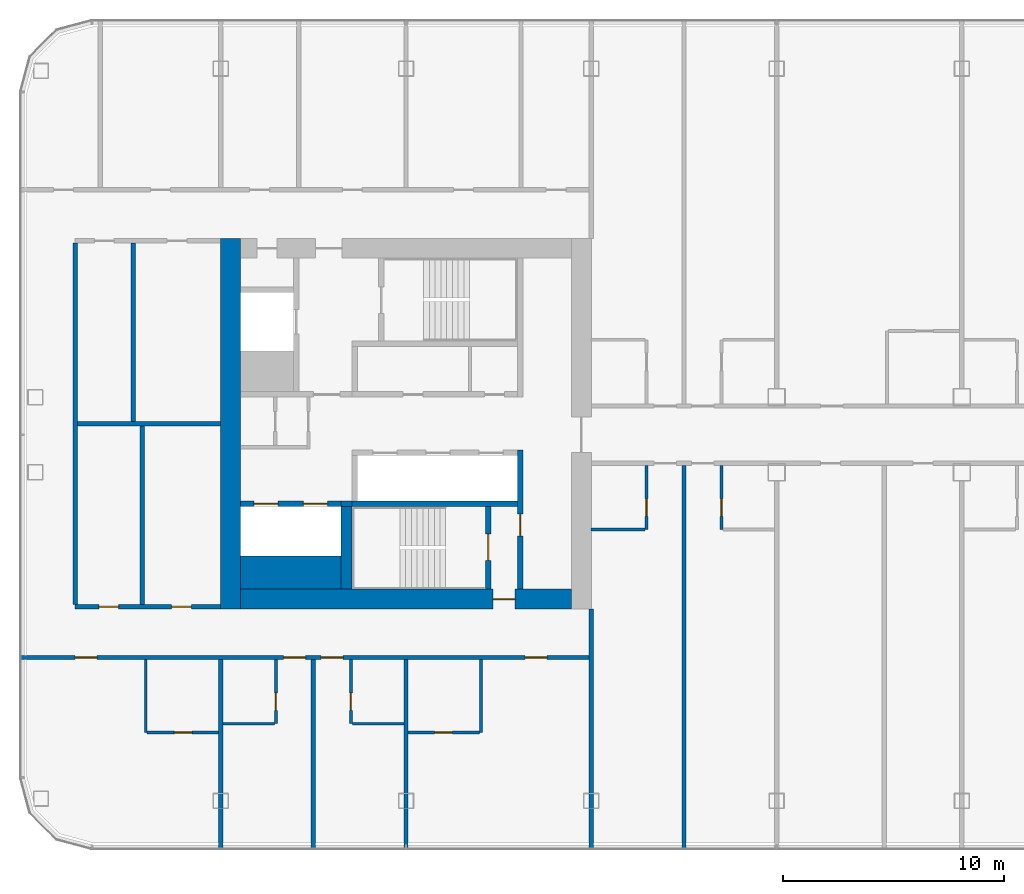
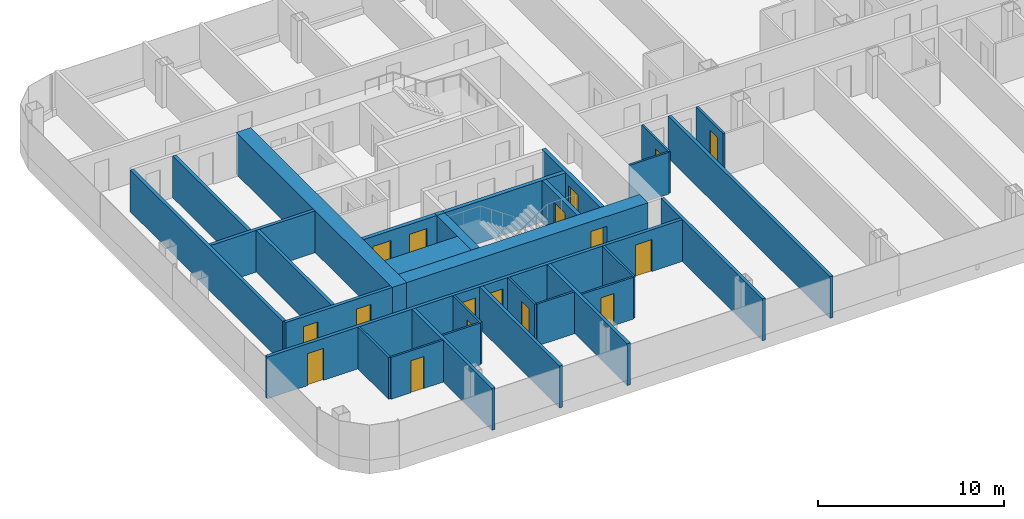
# One storey, part 12 of 26: 31 walls, 17 doors, 17 openings.
"""IFC4 building model written with IfcOpenShell, lengths in metres."""

from ifc_helpers import new_model, si_unit, direction, frame, frame_2d, origin, place, context, subcontext, project, spatial, rectangle, extrude, material, layer, layer_set, type_object, element, fill, save


model = new_model("IFC4")

# Units and contexts
model_context = context("Model", 3, precision=1e-05, world=origin(), true_north=direction((0.0, 1.0)))
body_context = subcontext(model_context, "Body", "Model", "MODEL_VIEW")
ifc_project = project(units=[si_unit("LENGTHUNIT", "METRE"), si_unit("AREAUNIT", "SQUARE_METRE"), si_unit("VOLUMEUNIT", "CUBIC_METRE"), si_unit("PLANEANGLEUNIT", "RADIAN"), si_unit("MASSUNIT", "GRAM", prefix="KILO")], contexts=[model_context])

# Site, building, storey
site_placement = place(None, origin())
site = spatial("IfcSite", under=ifc_project, at=site_placement, CompositionType="ELEMENT")
building_placement = place(site_placement, origin())
building = spatial("IfcBuilding", under=site, at=building_placement, Name="Hakoniwa Tower and Hamabe Station Hall", CompositionType="ELEMENT")
storey_placement = place(building_placement, frame((0.0, 0.0, 156.60009765625)))
storey = spatial("IfcBuildingStorey", under=building, at=storey_placement, Name="L44", CompositionType="ELEMENT", Elevation=156.60009765625)

# Wall, opening, door
ifc_material_1 = material(Name="Gypsum board partition", Category="gypsum")
ifc_layer_1 = layer(ifc_material_1, 0.125)
ifc_layer_set_1 = layer_set([ifc_layer_1], Name="Bathroom Partition 125")
wall_type_1 = type_object("IfcWallType", Name="Bathroom Partition 125", PredefinedType="PARTITIONING", material=ifc_layer_set_1)
wall_1_placement = place(storey_placement, frame((-36.9375, -14.0, 0.0), z_axis=(0.0, 0.0, 1.0), x_axis=(1.0, 0.0, 0.0)))
wall_1 = element("IfcWall", 1, at=wall_1_placement, inside=storey, type_object=wall_type_1, Name="GW-L44-001", PredefinedType="PARTITIONING", context=body_context, shape_type="SweptSolid", body=[
    extrude(rectangle(XDim=3.237548828125, YDim=0.125, at=frame_2d((1.61865234375, 0.0))), origin(), (0.0, 0.0, 1.0), 2.75),
])
opening_1_placement = place(wall_1_placement, frame((1.237548828125, 0.0, 0.0)))
opening_1 = element("IfcOpeningElement", 2, at=opening_1_placement, cuts=wall_1, Name="Opening GD-G3D1-01", PredefinedType="OPENING", context=body_context, shape_type="SweptSolid", body=[
    extrude(rectangle(XDim=0.800048828125, YDim=2.10009765625, at=frame_2d((0.39990234375, 1.050048828125))), frame((0.0, 0.072509765625, 0.0), z_axis=(0.0, -1.0, 0.0), x_axis=(1.0, 0.0, 0.0)), (0.0, 0.0, 1.0), 0.14501953125),
])
ifc_material_2 = material(Name="Timber door leaf", Category="wood")
door_type_1 = type_object("IfcDoorType", Name="Bathroom Door 800", OperationType="SINGLE_SWING_LEFT", PredefinedType="DOOR", material=ifc_material_2)
door_1_placement = place(opening_1_placement, origin())
door_1 = element("IfcDoor", 3, at=door_1_placement, inside=storey, type_object=door_type_1, Name="Door GD-G3D1-01", OperationType="SINGLE_SWING_RIGHT", OverallHeight=2.10009765625, OverallWidth=0.800048828125, PredefinedType="DOOR", context=body_context, shape_type="SweptSolid", body=[
    extrude(rectangle(XDim=0.800048828125, YDim=2.10009765625, at=frame_2d((0.39990234375, 1.050048828125))), frame((0.0, 0.02490234375, 0.0), z_axis=(0.0, -1.0, 0.0), x_axis=(1.0, 0.0, 0.0)), (0.0, 0.0, 1.0), 0.050048828125),
])
fill(opening_1, door_1)

wall_2_placement = place(storey_placement, frame((-25.10009765625, -14.0, 0.0), z_axis=(0.0, 0.0, 1.0), x_axis=(1.0, 0.0, 0.0)))
wall_2 = element("IfcWall", 4, at=wall_2_placement, inside=storey, type_object=wall_type_1, Name="GW-L44-002", PredefinedType="PARTITIONING", context=body_context, shape_type="SweptSolid", body=[
    extrude(rectangle(XDim=3.237548828125, YDim=0.125, at=frame_2d((1.61865234375, 0.0))), origin(), (0.0, 0.0, 1.0), 2.75),
])
opening_2_placement = place(wall_2_placement, frame((1.199951171875, 0.0, 0.0)))
opening_2 = element("IfcOpeningElement", 5, at=opening_2_placement, cuts=wall_2, Name="Opening GD-G3D1-02", PredefinedType="OPENING", context=body_context, shape_type="SweptSolid", body=[
    extrude(rectangle(XDim=0.800048828125, YDim=2.10009765625, at=frame_2d((0.39990234375, 1.050048828125))), frame((0.0, 0.072509765625, 0.0), z_axis=(0.0, -1.0, 0.0), x_axis=(1.0, 0.0, 0.0)), (0.0, 0.0, 1.0), 0.14501953125),
])
door_2_placement = place(opening_2_placement, origin())
door_2 = element("IfcDoor", 6, at=door_2_placement, inside=storey, type_object=door_type_1, Name="Door GD-G3D1-02", OperationType="SINGLE_SWING_LEFT", OverallHeight=2.10009765625, OverallWidth=0.800048828125, PredefinedType="DOOR", context=body_context, shape_type="SweptSolid", body=[
    extrude(rectangle(XDim=0.800048828125, YDim=2.10009765625, at=frame_2d((0.39990234375, 1.050048828125))), frame((0.0, 0.02490234375, 0.0), z_axis=(0.0, -1.0, 0.0), x_axis=(1.0, 0.0, 0.0)), (0.0, 0.0, 1.0), 0.050048828125),
])
fill(opening_2, door_2)

# Walls
for number, where, z_axis, x_axis, name in (
    (7, (-33.5, -13.60009765625, 0.0), (0.0, 0.0, 1.0), (1.0, 0.0, 0.0), "GW-L44-004"),
    (8, (-27.637451171875, -13.60009765625, 0.0), (0.0, 0.0, 1.0), (1.0, 0.0, 0.0), "GW-L44-005"),
):
    element("IfcWall", number, at=place(storey_placement, frame(where, z_axis=z_axis, x_axis=x_axis)), inside=storey, type_object=wall_type_1, Name=name, PredefinedType="PARTITIONING", context=body_context, shape_type="SweptSolid", body=[
        extrude(rectangle(XDim=2.33740234375, YDim=0.125, at=frame_2d((1.168701171875, 0.0))), origin(), (0.0, 0.0, 1.0), 2.75),
    ])
wall_3_placement = place(storey_placement, frame((-16.81005859375, -4.800048828125, 0.0), z_axis=(0.0, 0.0, 1.0), x_axis=(1.0, 0.0, 0.0)))
element("IfcWall", 9, at=wall_3_placement, inside=storey, type_object=wall_type_1, Name="GW-L44-015", PredefinedType="PARTITIONING", context=body_context, shape_type="SweptSolid", body=[
    extrude(rectangle(XDim=2.447509765625, YDim=0.125, at=frame_2d((1.2236328125, 0.0))), origin(), (0.0, 0.0, 1.0), 2.75),
])
wall_4_placement = place(storey_placement, frame((-37.0, -14.0, 0.0), z_axis=(0.0, 0.0, 1.0), x_axis=(0.0, 1.0, 0.0)))
element("IfcWall", 10, at=wall_4_placement, inside=storey, type_object=wall_type_1, Name="GW-L44-037", PredefinedType="PARTITIONING", context=body_context, shape_type="SweptSolid", body=[
    extrude(rectangle(XDim=3.300048828125, YDim=0.125, at=frame_2d((1.64990234375, 0.0))), origin(), (0.0, 0.0, 1.0), 2.75),
])

# Wall, opening, door
wall_5_placement = place(storey_placement, frame((-31.10009765625, -13.60009765625, 0.0), z_axis=(0.0, 0.0, 1.0), x_axis=(0.0, 1.0, 0.0)))
wall_5 = element("IfcWall", 11, at=wall_5_placement, inside=storey, type_object=wall_type_1, Name="GW-L44-040", PredefinedType="PARTITIONING", context=body_context, shape_type="SweptSolid", body=[
    extrude(rectangle(XDim=2.900146484375, YDim=0.125, at=frame_2d((1.4501953125, 0.0))), origin(), (0.0, 0.0, 1.0), 2.75),
])
opening_3_placement = place(wall_5_placement, frame((0.60009765625, 0.0, 0.0)))
opening_3 = element("IfcOpeningElement", 12, at=opening_3_placement, cuts=wall_5, Name="Opening GD-G3D1-46", PredefinedType="OPENING", context=body_context, shape_type="SweptSolid", body=[
    extrude(rectangle(XDim=0.800048828125, YDim=2.10009765625, at=frame_2d((0.39990234375, 1.050048828125))), frame((0.0, 0.072509765625, 0.0), z_axis=(0.0, -1.0, 0.0), x_axis=(1.0, 0.0, 0.0)), (0.0, 0.0, 1.0), 0.14501953125),
])
door_3_placement = place(opening_3_placement, origin())
door_3 = element("IfcDoor", 13, at=door_3_placement, inside=storey, type_object=door_type_1, Name="Door GD-G3D1-46", OperationType="SINGLE_SWING_RIGHT", OverallHeight=2.10009765625, OverallWidth=0.800048828125, PredefinedType="DOOR", context=body_context, shape_type="SweptSolid", body=[
    extrude(rectangle(XDim=0.800048828125, YDim=2.10009765625, at=frame_2d((0.39990234375, 1.050048828125))), frame((0.0, 0.02490234375, 0.0), z_axis=(0.0, -1.0, 0.0), x_axis=(1.0, 0.0, 0.0)), (0.0, 0.0, 1.0), 0.050048828125),
])
fill(opening_3, door_3)

wall_6_placement = place(storey_placement, frame((-27.699951171875, -13.60009765625, 0.0), z_axis=(0.0, 0.0, 1.0), x_axis=(0.0, 1.0, 0.0)))
wall_6 = element("IfcWall", 14, at=wall_6_placement, inside=storey, type_object=wall_type_1, Name="GW-L44-043", PredefinedType="PARTITIONING", context=body_context, shape_type="SweptSolid", body=[
    extrude(rectangle(XDim=2.900146484375, YDim=0.125, at=frame_2d((1.4501953125, 0.0))), origin(), (0.0, 0.0, 1.0), 2.75),
])
opening_4_placement = place(wall_6_placement, frame((0.60009765625, 0.0, 0.0)))
opening_4 = element("IfcOpeningElement", 15, at=opening_4_placement, cuts=wall_6, Name="Opening GD-G3D1-47", PredefinedType="OPENING", context=body_context, shape_type="SweptSolid", body=[
    extrude(rectangle(XDim=0.800048828125, YDim=2.10009765625, at=frame_2d((0.39990234375, 1.050048828125))), frame((0.0, 0.072509765625, 0.0), z_axis=(0.0, -1.0, 0.0), x_axis=(1.0, 0.0, 0.0)), (0.0, 0.0, 1.0), 0.14501953125),
])
door_4_placement = place(opening_4_placement, origin())
door_4 = element("IfcDoor", 16, at=door_4_placement, inside=storey, type_object=door_type_1, Name="Door GD-G3D1-47", OperationType="SINGLE_SWING_LEFT", OverallHeight=2.10009765625, OverallWidth=0.800048828125, PredefinedType="DOOR", context=body_context, shape_type="SweptSolid", body=[
    extrude(rectangle(XDim=0.800048828125, YDim=2.10009765625, at=frame_2d((0.39990234375, 1.050048828125))), frame((0.0, 0.02490234375, 0.0), z_axis=(0.0, -1.0, 0.0), x_axis=(1.0, 0.0, 0.0)), (0.0, 0.0, 1.0), 0.050048828125),
])
fill(opening_4, door_4)

# Wall
wall_7_placement = place(storey_placement, frame((-21.800048828125, -14.0, 0.0), z_axis=(0.0, 0.0, 1.0), x_axis=(0.0, 1.0, 0.0)))
element("IfcWall", 17, at=wall_7_placement, inside=storey, type_object=wall_type_1, Name="GW-L44-046", PredefinedType="PARTITIONING", context=body_context, shape_type="SweptSolid", body=[
    extrude(rectangle(XDim=3.300048828125, YDim=0.125, at=frame_2d((1.64990234375, 0.0))), origin(), (0.0, 0.0, 1.0), 2.75),
])

# Wall, opening, door
wall_8_placement = place(storey_placement, frame((-14.300048828125, -4.800048828125, 0.0), z_axis=(0.0, 0.0, 1.0), x_axis=(0.0, 1.0, 0.0)))
wall_8 = element("IfcWall", 18, at=wall_8_placement, inside=storey, type_object=wall_type_1, Name="GW-L44-050", PredefinedType="PARTITIONING", context=body_context, shape_type="SweptSolid", body=[
    extrude(rectangle(XDim=2.900146484375, YDim=0.125, at=frame_2d((1.4501953125, 0.0))), origin(), (0.0, 0.0, 1.0), 2.75),
])
opening_5_placement = place(wall_8_placement, frame((0.60009765625, 0.0, 0.0)))
opening_5 = element("IfcOpeningElement", 19, at=opening_5_placement, cuts=wall_8, Name="Opening GD-G3D1-48", PredefinedType="OPENING", context=body_context, shape_type="SweptSolid", body=[
    extrude(rectangle(XDim=0.800048828125, YDim=2.10009765625, at=frame_2d((0.39990234375, 1.050048828125))), frame((0.0, 0.072509765625, 0.0), z_axis=(0.0, -1.0, 0.0), x_axis=(1.0, 0.0, 0.0)), (0.0, 0.0, 1.0), 0.14501953125),
])
door_5_placement = place(opening_5_placement, origin())
door_5 = element("IfcDoor", 20, at=door_5_placement, inside=storey, type_object=door_type_1, Name="Door GD-G3D1-48", OperationType="SINGLE_SWING_RIGHT", OverallHeight=2.10009765625, OverallWidth=0.800048828125, PredefinedType="DOOR", context=body_context, shape_type="SweptSolid", body=[
    extrude(rectangle(XDim=0.800048828125, YDim=2.10009765625, at=frame_2d((0.39990234375, 1.050048828125))), frame((0.0, 0.02490234375, 0.0), z_axis=(0.0, -1.0, 0.0), x_axis=(1.0, 0.0, 0.0)), (0.0, 0.0, 1.0), 0.050048828125),
])
fill(opening_5, door_5)

wall_9_placement = place(storey_placement, frame((-10.89990234375, -4.800048828125, 0.0), z_axis=(0.0, 0.0, 1.0), x_axis=(0.0, 1.0, 0.0)))
wall_9 = element("IfcWall", 21, at=wall_9_placement, inside=storey, type_object=wall_type_1, Name="GW-L44-054", PredefinedType="PARTITIONING", context=body_context, shape_type="SweptSolid", body=[
    extrude(rectangle(XDim=2.900146484375, YDim=0.125, at=frame_2d((1.4501953125, 0.0))), origin(), (0.0, 0.0, 1.0), 2.75),
])
opening_6_placement = place(wall_9_placement, frame((0.60009765625, 0.0, 0.0)))
opening_6 = element("IfcOpeningElement", 22, at=opening_6_placement, cuts=wall_9, Name="Opening GD-G3D1-50", PredefinedType="OPENING", context=body_context, shape_type="SweptSolid", body=[
    extrude(rectangle(XDim=0.800048828125, YDim=2.10009765625, at=frame_2d((0.39990234375, 1.050048828125))), frame((0.0, 0.072509765625, 0.0), z_axis=(0.0, -1.0, 0.0), x_axis=(1.0, 0.0, 0.0)), (0.0, 0.0, 1.0), 0.14501953125),
])
door_6_placement = place(opening_6_placement, origin())
door_6 = element("IfcDoor", 23, at=door_6_placement, inside=storey, type_object=door_type_1, Name="Door GD-G3D1-50", OperationType="SINGLE_SWING_LEFT", OverallHeight=2.10009765625, OverallWidth=0.800048828125, PredefinedType="DOOR", context=body_context, shape_type="SweptSolid", body=[
    extrude(rectangle(XDim=0.800048828125, YDim=2.10009765625, at=frame_2d((0.39990234375, 1.050048828125))), frame((0.0, 0.02490234375, 0.0), z_axis=(0.0, -1.0, 0.0), x_axis=(1.0, 0.0, 0.0)), (0.0, 0.0, 1.0), 0.050048828125),
])
fill(opening_6, door_6)

# Wall
ifc_material_3 = material(Name="Concrete C66", Category="concrete")
ifc_layer_2 = layer(ifc_material_3, 0.89990234375)
ifc_layer_set_2 = layer_set([ifc_layer_2], Name="CORE WALL 900 C66")
wall_type_2 = type_object("IfcWallType", Name="CORE WALL 900 C66", PredefinedType="SHEAR", material=ifc_layer_set_2)
wall_10_placement = place(storey_placement, frame((-33.14990234375, -8.39990234375, 0.0), z_axis=(0.0, 0.0, 1.0), x_axis=(0.0, 1.0, 0.0)))
element("IfcWall", 24, at=wall_10_placement, inside=storey, type_object=wall_type_2, Name="Core wall OUTER west", PredefinedType="SHEAR", context=body_context, shape_type="SweptSolid", body=[
    extrude(rectangle(XDim=16.7998046875, YDim=0.89990234375, at=frame_2d((8.39990234375, 0.0))), origin(), (0.0, 0.0, 1.0), 2.75),
])

# Wall, opening, door
wall_11_placement = place(storey_placement, frame((-32.699951171875, -7.949951171875, 0.0), z_axis=(0.0, 0.0, 1.0), x_axis=(1.0, 0.0, 0.0)))
wall_11 = element("IfcWall", 25, at=wall_11_placement, inside=storey, type_object=wall_type_2, Name="Core wall SOUTH west", PredefinedType="SHEAR", context=body_context, shape_type="SweptSolid", body=[
    extrude(rectangle(XDim=15.0, YDim=0.89990234375, at=frame_2d((7.5, 0.0))), origin(), (0.0, 0.0, 1.0), 2.75),
])
opening_7_placement = place(wall_11_placement, frame((11.449951171875, 0.0, 0.0)))
opening_7 = element("IfcOpeningElement", 26, at=opening_7_placement, cuts=wall_11, Name="Opening CD-W-FS3-10", PredefinedType="OPENING", context=body_context, shape_type="SweptSolid", body=[
    extrude(rectangle(XDim=1.0, YDim=2.10009765625, at=frame_2d((0.5, 1.050048828125))), frame((0.0, 0.4599609375, 0.0), z_axis=(0.0, -1.0, 0.0), x_axis=(1.0, 0.0, 0.0)), (0.0, 0.0, 1.0), 0.919921875),
])
ifc_material_4 = material(Name="Steel fire door", Category="steel")
door_type_2 = type_object("IfcDoorType", Name="CORE DOOR 1000 FD60", OperationType="NOTDEFINED", PredefinedType="DOOR", material=ifc_material_4)
door_7_placement = place(opening_7_placement, origin())
door_7 = element("IfcDoor", 27, at=door_7_placement, inside=storey, type_object=door_type_2, Name="Stair vestibule door", OperationType="SINGLE_SWING_RIGHT", OverallHeight=2.10009765625, OverallWidth=1.0, PredefinedType="DOOR", context=body_context, shape_type="SweptSolid", body=[
    extrude(rectangle(XDim=1.0, YDim=2.10009765625, at=frame_2d((0.5, 1.050048828125))), frame((0.0, 0.02490234375, 0.0), z_axis=(0.0, -1.0, 0.0), x_axis=(1.0, 0.0, 0.0)), (0.0, 0.0, 1.0), 0.050048828125),
])
fill(opening_7, door_7)

# Wall
ifc_material_5 = material(Name="Concrete C66", Category="concrete")
ifc_layer_3 = layer(ifc_material_5, 1.5)
ifc_layer_set_3 = layer_set([ifc_layer_3], Name="CORE WEB WALL 1500 C66")
wall_type_3 = type_object("IfcWallType", Name="CORE WEB WALL 1500 C66", PredefinedType="SHEAR", material=ifc_layer_set_3)
wall_12_placement = place(storey_placement, frame((-32.699951171875, -6.75, 0.0), z_axis=(0.0, 0.0, 1.0), x_axis=(1.0, 0.0, 0.0)))
element("IfcWall", 28, at=wall_12_placement, inside=storey, type_object=wall_type_3, Name="Core wall SER west", PredefinedType="SHEAR", context=body_context, shape_type="SweptSolid", body=[
    extrude(rectangle(XDim=4.550048828125, YDim=1.5, at=frame_2d((2.27490234375, 0.0))), origin(), (0.0, 0.0, 1.0), 2.75),
])

# Wall, opening, door
ifc_material_6 = material(Name="Concrete C66", Category="concrete")
ifc_layer_4 = layer(ifc_material_6, 0.25)
ifc_layer_set_4 = layer_set([ifc_layer_4], Name="CORE WEB WALL 250 C66")
wall_type_4 = type_object("IfcWallType", Name="CORE WEB WALL 250 C66", PredefinedType="SHEAR", material=ifc_layer_set_4)
wall_13_placement = place(storey_placement, frame((-20.02490234375, -7.5, 0.0), z_axis=(0.0, 0.0, 1.0), x_axis=(0.0, 1.0, 0.0)))
wall_13 = element("IfcWall", 29, at=wall_13_placement, inside=storey, type_object=wall_type_4, Name="Core wall W1S west", PredefinedType="SHEAR", context=body_context, shape_type="SweptSolid", body=[
    extrude(rectangle(XDim=6.300048828125, YDim=0.25, at=frame_2d((3.14990234375, 0.0))), origin(), (0.0, 0.0, 1.0), 2.75),
])
opening_8_placement = place(wall_13_placement, frame((2.39990234375, 0.0, 0.0)))
opening_8 = element("IfcOpeningElement", 30, at=opening_8_placement, cuts=wall_13, Name="Opening CD-W-VS-10", PredefinedType="OPENING", context=body_context, shape_type="SweptSolid", body=[
    extrude(rectangle(XDim=1.0, YDim=2.10009765625, at=frame_2d((0.5, 1.050048828125))), frame((0.0, 0.135009765625, 0.0), z_axis=(0.0, -1.0, 0.0), x_axis=(1.0, 0.0, 0.0)), (0.0, 0.0, 1.0), 0.27001953125),
])
door_8_placement = place(opening_8_placement, origin())
door_8 = element("IfcDoor", 31, at=door_8_placement, inside=storey, type_object=door_type_2, Name="Stair vestibule door", OperationType="SINGLE_SWING_LEFT", OverallHeight=2.10009765625, OverallWidth=1.0, PredefinedType="DOOR", context=body_context, shape_type="SweptSolid", body=[
    extrude(rectangle(XDim=1.0, YDim=2.10009765625, at=frame_2d((0.5, 1.050048828125))), frame((0.0, 0.02490234375, 0.0), z_axis=(0.0, -1.0, 0.0), x_axis=(1.0, 0.0, 0.0)), (0.0, 0.0, 1.0), 0.050048828125),
])
fill(opening_8, door_8)

# Wall
wall_14_placement = place(storey_placement, frame((-27.64990234375, -3.625, 0.0), z_axis=(0.0, 0.0, 1.0), x_axis=(1.0, 0.0, 0.0)))
element("IfcWall", 32, at=wall_14_placement, inside=storey, type_object=wall_type_4, Name="Core wall SR west", PredefinedType="SHEAR", context=body_context, shape_type="SweptSolid", body=[
    extrude(rectangle(XDim=7.5, YDim=0.25, at=frame_2d((3.75, 0.0))), origin(), (0.0, 0.0, 1.0), 2.75),
])

# Wall, opening, door
wall_15_placement = place(storey_placement, frame((-21.47509765625, -7.5, 0.0), z_axis=(0.0, 0.0, 1.0), x_axis=(0.0, 1.0, 0.0)))
wall_15 = element("IfcWall", 33, at=wall_15_placement, inside=storey, type_object=wall_type_4, Name="Core wall VE west", PredefinedType="SHEAR", context=body_context, shape_type="SweptSolid", body=[
    extrude(rectangle(XDim=3.75, YDim=0.25, at=frame_2d((1.875, 0.0))), origin(), (0.0, 0.0, 1.0), 2.75),
])
opening_9_placement = place(wall_15_placement, frame((1.300048828125, 0.0, 0.0)))
opening_9 = element("IfcOpeningElement", 34, at=opening_9_placement, cuts=wall_15, Name="Opening CD-W-SS-12", PredefinedType="OPENING", context=body_context, shape_type="SweptSolid", body=[
    extrude(rectangle(XDim=1.199951171875, YDim=2.10009765625, at=frame_2d((0.60009765625, 1.050048828125))), frame((0.0, 0.135009765625, 0.0), z_axis=(0.0, -1.0, 0.0), x_axis=(1.0, 0.0, 0.0)), (0.0, 0.0, 1.0), 0.27001953125),
])
ifc_material_7 = material(Name="Steel fire door", Category="steel")
door_type_3 = type_object("IfcDoorType", Name="CORE DOOR 1200 FD60", OperationType="DOUBLE_DOOR_SINGLE_SWING", PredefinedType="DOOR", material=ifc_material_7)
door_9_placement = place(opening_9_placement, origin())
door_9 = element("IfcDoor", 35, at=door_9_placement, inside=storey, type_object=door_type_3, Name="Escape stair door", OperationType="DOUBLE_DOOR_SINGLE_SWING", OverallHeight=2.10009765625, OverallWidth=1.199951171875, PredefinedType="DOOR", context=body_context, shape_type="SweptSolid", body=[
    extrude(rectangle(XDim=1.199951171875, YDim=2.10009765625, at=frame_2d((0.60009765625, 1.050048828125))), frame((0.0, 0.02490234375, 0.0), z_axis=(0.0, -1.0, 0.0), x_axis=(1.0, 0.0, 0.0)), (0.0, 0.0, 1.0), 0.050048828125),
])
fill(opening_9, door_9)

# Wall, openings, doors
wall_16_placement = place(storey_placement, frame((-32.699951171875, -3.625, 0.0), z_axis=(0.0, 0.0, 1.0), x_axis=(1.0, 0.0, 0.0)))
wall_16 = element("IfcWall", 36, at=wall_16_placement, inside=storey, type_object=wall_type_4, Name="Core wall SEF west", PredefinedType="SHEAR", context=body_context, shape_type="SweptSolid", body=[
    extrude(rectangle(XDim=4.550048828125, YDim=0.25, at=frame_2d((2.27490234375, 0.0))), origin(), (0.0, 0.0, 1.0), 2.75),
])
opening_10_placement = place(wall_16_placement, frame((2.85009765625, 0.0, 0.0)))
opening_10 = element("IfcOpeningElement", 37, at=opening_10_placement, cuts=wall_16, Name="Opening LD-SV1", PredefinedType="OPENING", context=body_context, shape_type="SweptSolid", body=[
    extrude(rectangle(XDim=1.10009765625, YDim=2.10009765625, at=frame_2d((0.550048828125, 1.050048828125))), frame((0.0, 0.135009765625, 0.0), z_axis=(0.0, -1.0, 0.0), x_axis=(1.0, 0.0, 0.0)), (0.0, 0.0, 1.0), 0.27001953125),
])
opening_11_placement = place(wall_16_placement, frame((0.60009765625, 0.0, 0.0)))
opening_11 = element("IfcOpeningElement", 38, at=opening_11_placement, cuts=wall_16, Name="Opening LD-SV2", PredefinedType="OPENING", context=body_context, shape_type="SweptSolid", body=[
    extrude(rectangle(XDim=1.10009765625, YDim=2.10009765625, at=frame_2d((0.550048828125, 1.050048828125))), frame((0.0, 0.135009765625, 0.0), z_axis=(0.0, -1.0, 0.0), x_axis=(1.0, 0.0, 0.0)), (0.0, 0.0, 1.0), 0.27001953125),
])
ifc_material_8 = material(Name="Stainless steel SUS304", Category="steel")
door_type_4 = type_object("IfcDoorType", Name="LIFT LANDING DOOR 1100 FD60", OperationType="DOUBLE_DOOR_SLIDING", PredefinedType="DOOR", material=ifc_material_8)
door_10_placement = place(opening_10_placement, origin())
door_10 = element("IfcDoor", 39, at=door_10_placement, inside=storey, type_object=door_type_4, Name="Lift landing door SV1 L44", OperationType="DOUBLE_DOOR_SLIDING", OverallHeight=2.10009765625, OverallWidth=1.10009765625, PredefinedType="DOOR", context=body_context, shape_type="SweptSolid", body=[
    extrude(rectangle(XDim=1.10009765625, YDim=2.10009765625, at=frame_2d((0.550048828125, 1.050048828125))), frame((0.0, 0.02490234375, 0.0), z_axis=(0.0, -1.0, 0.0), x_axis=(1.0, 0.0, 0.0)), (0.0, 0.0, 1.0), 0.050048828125),
])
fill(opening_10, door_10)
door_11_placement = place(opening_11_placement, origin())
door_11 = element("IfcDoor", 40, at=door_11_placement, inside=storey, type_object=door_type_4, Name="Lift landing door SV2 L44", OperationType="DOUBLE_DOOR_SLIDING", OverallHeight=2.10009765625, OverallWidth=1.10009765625, PredefinedType="DOOR", context=body_context, shape_type="SweptSolid", body=[
    extrude(rectangle(XDim=1.10009765625, YDim=2.10009765625, at=frame_2d((0.550048828125, 1.050048828125))), frame((0.0, 0.02490234375, 0.0), z_axis=(0.0, -1.0, 0.0), x_axis=(1.0, 0.0, 0.0)), (0.0, 0.0, 1.0), 0.050048828125),
])
fill(opening_11, door_11)

# Walls
wall_17_placement = place(storey_placement, frame((-28.14990234375, -3.625, 0.0), z_axis=(0.0, 0.0, 1.0), x_axis=(1.0, 0.0, 0.0)))
element("IfcWall", 41, at=wall_17_placement, inside=storey, type_object=wall_type_4, Name="Core wall SRK west", PredefinedType="SHEAR", context=body_context, shape_type="SweptSolid", body=[
    extrude(rectangle(XDim=0.5, YDim=0.25, at=frame_2d((0.25, 0.0))), origin(), (0.0, 0.0, 1.0), 2.75),
])
ifc_material_9 = material(Name="Concrete C66", Category="concrete")
ifc_layer_5 = layer(ifc_material_9, 0.5)
ifc_layer_set_5 = layer_set([ifc_layer_5], Name="CORE WEB WALL 500 C66")
wall_type_5 = type_object("IfcWallType", Name="CORE WEB WALL 500 C66", PredefinedType="SHEAR", material=ifc_layer_set_5)
wall_18_placement = place(storey_placement, frame((-27.89990234375, -7.5, 0.0), z_axis=(0.0, 0.0, 1.0), x_axis=(0.0, 1.0, 0.0)))
element("IfcWall", 42, at=wall_18_placement, inside=storey, type_object=wall_type_5, Name="Core wall SSE west", PredefinedType="SHEAR", context=body_context, shape_type="SweptSolid", body=[
    extrude(rectangle(XDim=3.75, YDim=0.5, at=frame_2d((1.875, 0.0))), origin(), (0.0, 0.0, 1.0), 2.75),
])

# Wall, openings, doors
ifc_material_10 = material(Name="Fire-rated gypsum board partition", Category="gypsum")
ifc_layer_6 = layer(ifc_material_10, 0.199951171875)
ifc_layer_set_6 = layer_set([ifc_layer_6], Name="Corridor Wall 200")
wall_type_6 = type_object("IfcWallType", Name="Corridor Wall 200", PredefinedType="PARTITIONING", material=ifc_layer_set_6)
wall_19_placement = place(storey_placement, frame((-42.699951171875, -10.60009765625, 0.0), z_axis=(0.0, 0.0, 1.0), x_axis=(1.0, 0.0, 0.0)))
wall_19 = element("IfcWall", 43, at=wall_19_placement, inside=storey, type_object=wall_type_6, Name="GW-L44-010", PredefinedType="PARTITIONING", context=body_context, shape_type="SweptSolid", body=[
    extrude(rectangle(XDim=25.89990234375, YDim=0.199951171875, at=frame_2d((12.949951171875, 0.0))), origin(), (0.0, 0.0, 1.0), 2.75),
])
opening_12_placement = place(wall_19_placement, frame((2.5, 0.0, 0.0)))
opening_12 = element("IfcOpeningElement", 44, at=opening_12_placement, cuts=wall_19, Name="Opening GD-G3D1-04", PredefinedType="OPENING", context=body_context, shape_type="SweptSolid", body=[
    extrude(rectangle(XDim=1.0, YDim=2.10009765625, at=frame_2d((0.5, 1.050048828125))), frame((0.0, 0.10986328125, 0.0), z_axis=(0.0, -1.0, 0.0), x_axis=(1.0, 0.0, 0.0)), (0.0, 0.0, 1.0), 0.219970703125),
])
opening_13_placement = place(wall_19_placement, frame((11.949951171875, 0.0, 0.0)))
opening_13 = element("IfcOpeningElement", 45, at=opening_13_placement, cuts=wall_19, Name="Opening GD-G3D1-05", PredefinedType="OPENING", context=body_context, shape_type="SweptSolid", body=[
    extrude(rectangle(XDim=1.0, YDim=2.10009765625, at=frame_2d((0.5, 1.050048828125))), frame((0.0, 0.10986328125, 0.0), z_axis=(0.0, -1.0, 0.0), x_axis=(1.0, 0.0, 0.0)), (0.0, 0.0, 1.0), 0.219970703125),
])
opening_14_placement = place(wall_19_placement, frame((13.64990234375, 0.0, 0.0)))
opening_14 = element("IfcOpeningElement", 46, at=opening_14_placement, cuts=wall_19, Name="Opening GD-G3D1-06", PredefinedType="OPENING", context=body_context, shape_type="SweptSolid", body=[
    extrude(rectangle(XDim=1.0, YDim=2.10009765625, at=frame_2d((0.5, 1.050048828125))), frame((0.0, 0.10986328125, 0.0), z_axis=(0.0, -1.0, 0.0), x_axis=(1.0, 0.0, 0.0)), (0.0, 0.0, 1.0), 0.219970703125),
])
opening_15_placement = place(wall_19_placement, frame((22.89990234375, 0.0, 0.0)))
opening_15 = element("IfcOpeningElement", 47, at=opening_15_placement, cuts=wall_19, Name="Opening GD-G3D1-07", PredefinedType="OPENING", context=body_context, shape_type="SweptSolid", body=[
    extrude(rectangle(XDim=1.0, YDim=2.10009765625, at=frame_2d((0.5, 1.050048828125))), frame((0.0, 0.10986328125, 0.0), z_axis=(0.0, -1.0, 0.0), x_axis=(1.0, 0.0, 0.0)), (0.0, 0.0, 1.0), 0.219970703125),
])
ifc_material_11 = material(Name="Timber door leaf", Category="wood")
door_type_5 = type_object("IfcDoorType", Name="Guest Entrance Door 1000", OperationType="SINGLE_SWING_LEFT", PredefinedType="DOOR", material=ifc_material_11)
door_12_placement = place(opening_12_placement, origin())
door_12 = element("IfcDoor", 48, at=door_12_placement, inside=storey, type_object=door_type_5, Name="Door GD-G3D1-04", OperationType="SINGLE_SWING_RIGHT", OverallHeight=2.10009765625, OverallWidth=1.0, PredefinedType="DOOR", context=body_context, shape_type="SweptSolid", body=[
    extrude(rectangle(XDim=1.0, YDim=2.10009765625, at=frame_2d((0.5, 1.050048828125))), frame((0.0, 0.02490234375, 0.0), z_axis=(0.0, -1.0, 0.0), x_axis=(1.0, 0.0, 0.0)), (0.0, 0.0, 1.0), 0.050048828125),
])
fill(opening_12, door_12)
door_13_placement = place(opening_13_placement, origin())
door_13 = element("IfcDoor", 49, at=door_13_placement, inside=storey, type_object=door_type_5, Name="Door GD-G3D1-05", OperationType="SINGLE_SWING_LEFT", OverallHeight=2.10009765625, OverallWidth=1.0, PredefinedType="DOOR", context=body_context, shape_type="SweptSolid", body=[
    extrude(rectangle(XDim=1.0, YDim=2.10009765625, at=frame_2d((0.5, 1.050048828125))), frame((0.0, 0.02490234375, 0.0), z_axis=(0.0, -1.0, 0.0), x_axis=(1.0, 0.0, 0.0)), (0.0, 0.0, 1.0), 0.050048828125),
])
fill(opening_13, door_13)
door_14_placement = place(opening_14_placement, origin())
door_14 = element("IfcDoor", 50, at=door_14_placement, inside=storey, type_object=door_type_5, Name="Door GD-G3D1-06", OperationType="SINGLE_SWING_RIGHT", OverallHeight=2.10009765625, OverallWidth=1.0, PredefinedType="DOOR", context=body_context, shape_type="SweptSolid", body=[
    extrude(rectangle(XDim=1.0, YDim=2.10009765625, at=frame_2d((0.5, 1.050048828125))), frame((0.0, 0.02490234375, 0.0), z_axis=(0.0, -1.0, 0.0), x_axis=(1.0, 0.0, 0.0)), (0.0, 0.0, 1.0), 0.050048828125),
])
fill(opening_14, door_14)
door_15_placement = place(opening_15_placement, origin())
door_15 = element("IfcDoor", 51, at=door_15_placement, inside=storey, type_object=door_type_5, Name="Door GD-G3D1-07", OperationType="SINGLE_SWING_LEFT", OverallHeight=2.10009765625, OverallWidth=1.0, PredefinedType="DOOR", context=body_context, shape_type="SweptSolid", body=[
    extrude(rectangle(XDim=1.0, YDim=2.10009765625, at=frame_2d((0.5, 1.050048828125))), frame((0.0, 0.02490234375, 0.0), z_axis=(0.0, -1.0, 0.0), x_axis=(1.0, 0.0, 0.0)), (0.0, 0.0, 1.0), 0.050048828125),
])
fill(opening_15, door_15)

wall_20_placement = place(storey_placement, frame((-40.199951171875, -8.300048828125, 0.0), z_axis=(0.0, 0.0, 1.0), x_axis=(1.0, 0.0, 0.0)))
wall_20 = element("IfcWall", 52, at=wall_20_placement, inside=storey, type_object=wall_type_6, Name="GW-L44-012", PredefinedType="PARTITIONING", context=body_context, shape_type="SweptSolid", body=[
    extrude(rectangle(XDim=6.599853515625, YDim=0.199951171875, at=frame_2d((3.2998046875, 0.0))), origin(), (0.0, 0.0, 1.0), 2.75),
])
opening_16_placement = place(wall_20_placement, frame((1.070068359375, 0.0, 0.0)))
opening_16 = element("IfcOpeningElement", 53, at=opening_16_placement, cuts=wall_20, Name="Opening GD-G3D1-13", PredefinedType="OPENING", context=body_context, shape_type="SweptSolid", body=[
    extrude(rectangle(XDim=0.89990234375, YDim=2.10009765625, at=frame_2d((0.449951171875, 1.050048828125))), frame((0.0, 0.10986328125, 0.0), z_axis=(0.0, -1.0, 0.0), x_axis=(1.0, 0.0, 0.0)), (0.0, 0.0, 1.0), 0.219970703125),
])
opening_17_placement = place(wall_20_placement, frame((4.3701171875, 0.0, 0.0)))
opening_17 = element("IfcOpeningElement", 54, at=opening_17_placement, cuts=wall_20, Name="Opening GD-G3D1-14", PredefinedType="OPENING", context=body_context, shape_type="SweptSolid", body=[
    extrude(rectangle(XDim=0.89990234375, YDim=2.10009765625, at=frame_2d((0.449951171875, 1.050048828125))), frame((0.0, 0.10986328125, 0.0), z_axis=(0.0, -1.0, 0.0), x_axis=(1.0, 0.0, 0.0)), (0.0, 0.0, 1.0), 0.219970703125),
])
ifc_material_12 = material(Name="Timber door leaf", Category="wood")
door_type_6 = type_object("IfcDoorType", Name="Service Door 900", OperationType="SINGLE_SWING_LEFT", PredefinedType="DOOR", material=ifc_material_12)
door_16_placement = place(opening_16_placement, origin())
door_16 = element("IfcDoor", 55, at=door_16_placement, inside=storey, type_object=door_type_6, Name="Door GD-G3D1-13", OperationType="SINGLE_SWING_LEFT", OverallHeight=2.10009765625, OverallWidth=0.89990234375, PredefinedType="DOOR", context=body_context, shape_type="SweptSolid", body=[
    extrude(rectangle(XDim=0.89990234375, YDim=2.10009765625, at=frame_2d((0.449951171875, 1.050048828125))), frame((0.0, 0.02490234375, 0.0), z_axis=(0.0, -1.0, 0.0), x_axis=(1.0, 0.0, 0.0)), (0.0, 0.0, 1.0), 0.050048828125),
])
fill(opening_16, door_16)
door_17_placement = place(opening_17_placement, origin())
door_17 = element("IfcDoor", 56, at=door_17_placement, inside=storey, type_object=door_type_6, Name="Door GD-G3D1-14", OperationType="SINGLE_SWING_RIGHT", OverallHeight=2.10009765625, OverallWidth=0.89990234375, PredefinedType="DOOR", context=body_context, shape_type="SweptSolid", body=[
    extrude(rectangle(XDim=0.89990234375, YDim=2.10009765625, at=frame_2d((0.449951171875, 1.050048828125))), frame((0.0, 0.02490234375, 0.0), z_axis=(0.0, -1.0, 0.0), x_axis=(1.0, 0.0, 0.0)), (0.0, 0.0, 1.0), 0.050048828125),
])
fill(opening_17, door_17)

# Walls
ifc_material_13 = material(Name="Fire-rated gypsum board partition", Category="gypsum")
ifc_layer_7 = layer(ifc_material_13, 0.199951171875)
ifc_layer_set_7 = layer_set([ifc_layer_7], Name="Party Wall 200")
wall_type_7 = type_object("IfcWallType", Name="Party Wall 200", PredefinedType="PARTITIONING", material=ifc_layer_set_7)
wall_21_placement = place(storey_placement, frame((-40.10009765625, 0.0, 0.0), z_axis=(0.0, 0.0, 1.0), x_axis=(1.0, 0.0, 0.0)))
element("IfcWall", 57, at=wall_21_placement, inside=storey, type_object=wall_type_7, Name="GW-L44-020", PredefinedType="PARTITIONING", context=body_context, shape_type="SweptSolid", body=[
    extrude(rectangle(XDim=6.5, YDim=0.199951171875, at=frame_2d((3.25, 0.0))), origin(), (0.0, 0.0, 1.0), 2.75),
])
wall_22_placement = place(storey_placement, frame((-40.199951171875, -8.199951171875, 0.0), z_axis=(0.0, 0.0, 1.0), x_axis=(0.0, 1.0, 0.0)))
element("IfcWall", 58, at=wall_22_placement, inside=storey, type_object=wall_type_7, Name="GW-L44-033", PredefinedType="PARTITIONING", context=body_context, shape_type="SweptSolid", body=[
    extrude(rectangle(XDim=16.39990234375, YDim=0.199951171875, at=frame_2d((8.199951171875, 0.0))), origin(), (0.0, 0.0, 1.0), 2.75),
])
for number, where, z_axis, x_axis, name in (
    (59, (-37.56005859375, 0.0, 0.0), (0.0, 0.0, 1.0), (0.0, 1.0, 0.0), "GW-L44-035"),
    (60, (-37.159912109375, -8.199951171875, 0.0), (0.0, 0.0, 1.0), (0.0, 1.0, 0.0), "GW-L44-036"),
):
    element("IfcWall", number, at=place(storey_placement, frame(where, z_axis=z_axis, x_axis=x_axis)), inside=storey, type_object=wall_type_7, Name=name, PredefinedType="PARTITIONING", context=body_context, shape_type="SweptSolid", body=[
        extrude(rectangle(XDim=8.199951171875, YDim=0.199951171875, at=frame_2d((4.10009765625, 0.0))), origin(), (0.0, 0.0, 1.0), 2.75),
    ])
for number, where, z_axis, x_axis, name in (
    (61, (-33.60009765625, -19.300048828125, 0.0), (0.0, 0.0, 1.0), (0.0, 1.0, 0.0), "GW-L44-038"),
    (62, (-29.39990234375, -19.300048828125, 0.0), (0.0, 0.0, 1.0), (0.0, 1.0, 0.0), "GW-L44-042"),
    (63, (-25.199951171875, -19.300048828125, 0.0), (0.0, 0.0, 1.0), (0.0, 1.0, 0.0), "GW-L44-044"),
):
    element("IfcWall", number, at=place(storey_placement, frame(where, z_axis=z_axis, x_axis=x_axis)), inside=storey, type_object=wall_type_7, Name=name, PredefinedType="PARTITIONING", context=body_context, shape_type="SweptSolid", body=[
        extrude(rectangle(XDim=8.60009765625, YDim=0.199951171875, at=frame_2d((4.300048828125, 0.0))), origin(), (0.0, 0.0, 1.0), 2.75),
    ])
wall_23_placement = place(storey_placement, frame((-16.800048828125, -19.300048828125, 0.0), z_axis=(0.0, 0.0, 1.0), x_axis=(0.0, 1.0, 0.0)))
element("IfcWall", 64, at=wall_23_placement, inside=storey, type_object=wall_type_7, Name="GW-L44-048", PredefinedType="PARTITIONING", context=body_context, shape_type="SweptSolid", body=[
    extrude(rectangle(XDim=10.91015625, YDim=0.199951171875, at=frame_2d((5.455078125, 0.0))), origin(), (0.0, 0.0, 1.0), 2.75),
])
wall_24_placement = place(storey_placement, frame((-12.60009765625, -19.300048828125, 0.0), z_axis=(0.0, 0.0, 1.0), x_axis=(0.0, 1.0, 0.0)))
element("IfcWall", 65, at=wall_24_placement, inside=storey, type_object=wall_type_7, Name="GW-L44-052", PredefinedType="PARTITIONING", context=body_context, shape_type="SweptSolid", body=[
    extrude(rectangle(XDim=17.400146484375, YDim=0.199951171875, at=frame_2d((8.7001953125, 0.0))), origin(), (0.0, 0.0, 1.0), 2.75),
])

save(model, "model.ifc")
